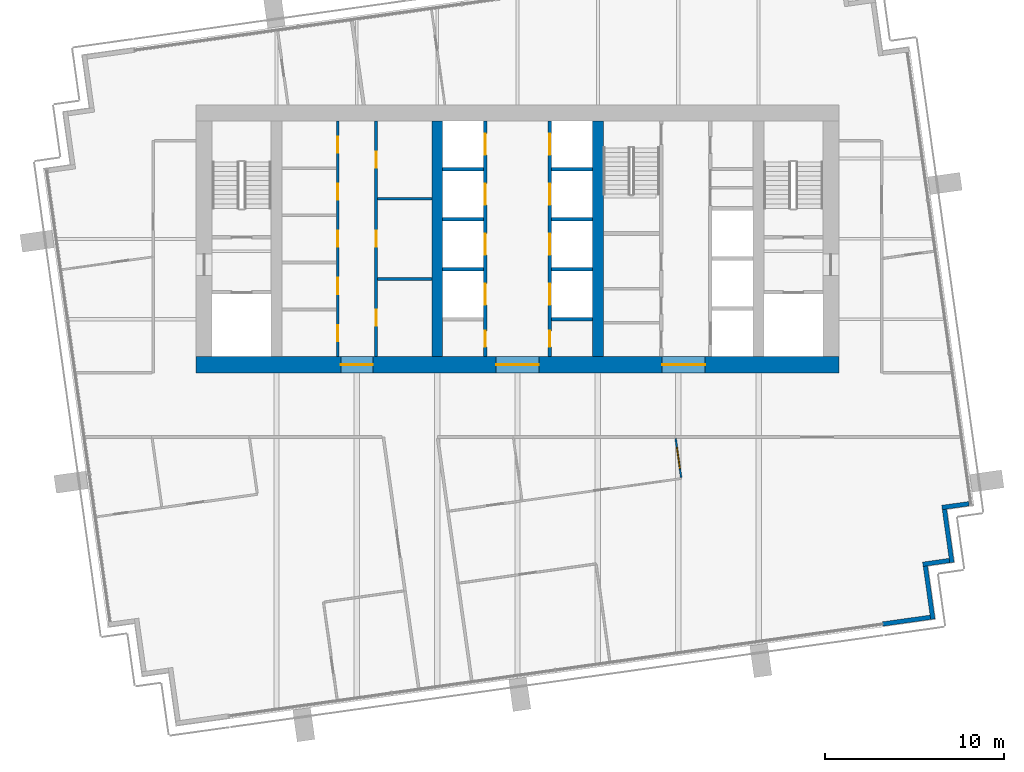
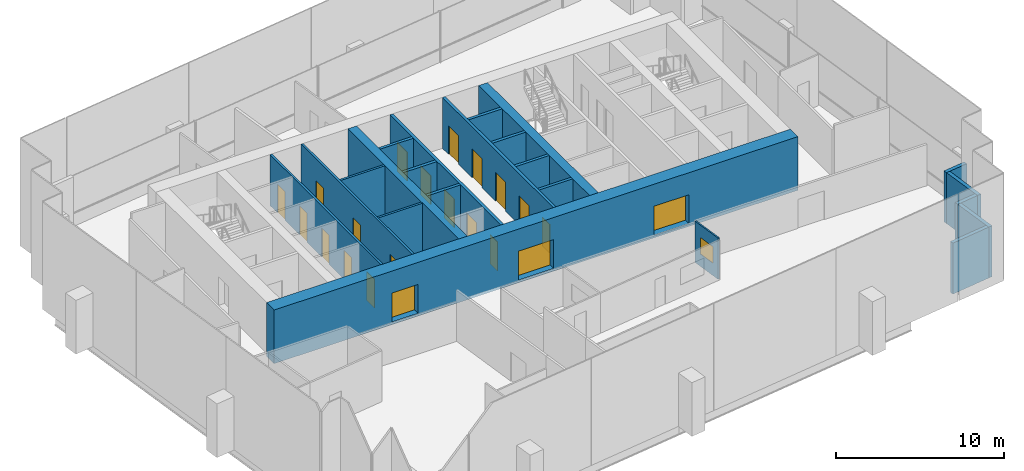
# One storey, part 9 of 15: 22 walls, 21 doors, 1 window, 22 openings.
"""IFC4 building model written with IfcOpenShell, lengths in metres."""

from ifc_helpers import new_model, si_unit, direction, frame, frame_2d, origin, place, context, subcontext, project, spatial, rectangle, extrude, material, layer, layer_set, type_object, element, fill, save


model = new_model("IFC4")

# Units and contexts
model_context = context("Model", 3, precision=1e-05, world=origin(), true_north=direction((0.0, 1.0)))
body_context = subcontext(model_context, "Body", "Model", "MODEL_VIEW")
ifc_project = project(units=[si_unit("LENGTHUNIT", "METRE"), si_unit("AREAUNIT", "SQUARE_METRE"), si_unit("VOLUMEUNIT", "CUBIC_METRE"), si_unit("PLANEANGLEUNIT", "RADIAN"), si_unit("MASSUNIT", "GRAM", prefix="KILO")], contexts=[model_context])

# Site, building, storey
site_placement = place(None, origin())
site = spatial("IfcSite", under=ifc_project, at=site_placement, CompositionType="ELEMENT")
building_placement = place(site_placement, origin())
building = spatial("IfcBuilding", under=site, at=building_placement, Name="Rattan Terrace Tower", CompositionType="ELEMENT")
storey_placement = place(building_placement, frame((0.0, 0.0, 255.10009765625)))
storey = spatial("IfcBuildingStorey", under=building, at=storey_placement, Name="L58", CompositionType="ELEMENT", Elevation=255.10009765625)

# Wall, openings, doors
ifc_material_1 = material(Name="Gypsum board partition")
ifc_layer_1 = layer(ifc_material_1, 0.14990234375)
ifc_layer_set_1 = layer_set([ifc_layer_1], Name="Core partition 150")
wall_type_1 = type_object("IfcWallType", Name="Core partition 150", PredefinedType="PARTITIONING", material=ifc_layer_set_1)
wall_1_placement = place(storey_placement, frame((-10.074951171875, -6.60009765625, 0.0), z_axis=(0.0, 0.0, 1.0), x_axis=(0.0, 1.0, 0.0)))
wall_1 = element("IfcWall", 1, at=wall_1_placement, inside=storey, type_object=wall_type_1, Name="Core room wall", PredefinedType="PARTITIONING", context=body_context, shape_type="SweptSolid", body=[
    extrude(rectangle(XDim=13.2001953125, YDim=0.14990234375, at=frame_2d((6.60009765625, 0.0))), origin(), (0.0, 0.0, 1.0), 3.699951171875),
])
opening_1_placement = place(wall_1_placement, frame((0.8701171875, 0.0, 0.0)))
opening_1 = element("IfcOpeningElement", 2, at=opening_1_placement, cuts=wall_1, Name="Opening L58-D005", PredefinedType="OPENING", context=body_context, shape_type="SweptSolid", body=[
    extrude(rectangle(XDim=0.89990234375, YDim=2.10009765625, at=frame_2d((0.449951171875, 1.050048828125))), frame((0.0, 0.08544921875, 0.0), z_axis=(0.0, -1.0, 0.0), x_axis=(1.0, 0.0, 0.0)), (0.0, 0.0, 1.0), 0.1708984375),
])
opening_2_placement = place(wall_1_placement, frame((3.510009765625, 0.0, 0.0)))
opening_2 = element("IfcOpeningElement", 3, at=opening_2_placement, cuts=wall_1, Name="Opening L58-D006", PredefinedType="OPENING", context=body_context, shape_type="SweptSolid", body=[
    extrude(rectangle(XDim=0.89990234375, YDim=2.10009765625, at=frame_2d((0.449951171875, 1.050048828125))), frame((0.0, 0.08544921875, 0.0), z_axis=(0.0, -1.0, 0.0), x_axis=(1.0, 0.0, 0.0)), (0.0, 0.0, 1.0), 0.1708984375),
])
opening_3_placement = place(wall_1_placement, frame((6.14990234375, 0.0, 0.0)))
opening_3 = element("IfcOpeningElement", 4, at=opening_3_placement, cuts=wall_1, Name="Opening L58-D007", PredefinedType="OPENING", context=body_context, shape_type="SweptSolid", body=[
    extrude(rectangle(XDim=0.89990234375, YDim=2.10009765625, at=frame_2d((0.449951171875, 1.050048828125))), frame((0.0, 0.08544921875, 0.0), z_axis=(0.0, -1.0, 0.0), x_axis=(1.0, 0.0, 0.0)), (0.0, 0.0, 1.0), 0.1708984375),
])
opening_4_placement = place(wall_1_placement, frame((8.7900390625, 0.0, 0.0)))
opening_4 = element("IfcOpeningElement", 5, at=opening_4_placement, cuts=wall_1, Name="Opening L58-D008", PredefinedType="OPENING", context=body_context, shape_type="SweptSolid", body=[
    extrude(rectangle(XDim=0.89990234375, YDim=2.10009765625, at=frame_2d((0.449951171875, 1.050048828125))), frame((0.0, 0.08544921875, 0.0), z_axis=(0.0, -1.0, 0.0), x_axis=(1.0, 0.0, 0.0)), (0.0, 0.0, 1.0), 0.1708984375),
])
opening_5_placement = place(wall_1_placement, frame((11.429931640625, 0.0, 0.0)))
opening_5 = element("IfcOpeningElement", 6, at=opening_5_placement, cuts=wall_1, Name="Opening L58-D009", PredefinedType="OPENING", context=body_context, shape_type="SweptSolid", body=[
    extrude(rectangle(XDim=0.89990234375, YDim=2.10009765625, at=frame_2d((0.449951171875, 1.050048828125))), frame((0.0, 0.08544921875, 0.0), z_axis=(0.0, -1.0, 0.0), x_axis=(1.0, 0.0, 0.0)), (0.0, 0.0, 1.0), 0.1708984375),
])
ifc_material_2 = material(Name="Hollow-metal fire door leaf")
door_type_1 = type_object("IfcDoorType", Name="Core service room door 900", OperationType="NOTDEFINED", PredefinedType="DOOR", material=ifc_material_2)
door_1_placement = place(opening_1_placement, origin())
door_1 = element("IfcDoor", 7, at=door_1_placement, inside=storey, type_object=door_type_1, Name="Door L58-D005", OperationType="SINGLE_SWING_LEFT", OverallHeight=2.10009765625, OverallWidth=0.89990234375, PredefinedType="DOOR", context=body_context, shape_type="SweptSolid", body=[
    extrude(rectangle(XDim=0.89990234375, YDim=2.10009765625, at=frame_2d((0.449951171875, 1.050048828125))), frame((0.0, 0.02490234375, 0.0), z_axis=(0.0, -1.0, 0.0), x_axis=(1.0, 0.0, 0.0)), (0.0, 0.0, 1.0), 0.050048828125),
])
fill(opening_1, door_1)
door_2_placement = place(opening_2_placement, origin())
door_2 = element("IfcDoor", 8, at=door_2_placement, inside=storey, type_object=door_type_1, Name="Door L58-D006", OperationType="SINGLE_SWING_RIGHT", OverallHeight=2.10009765625, OverallWidth=0.89990234375, PredefinedType="DOOR", context=body_context, shape_type="SweptSolid", body=[
    extrude(rectangle(XDim=0.89990234375, YDim=2.10009765625, at=frame_2d((0.449951171875, 1.050048828125))), frame((0.0, 0.02490234375, 0.0), z_axis=(0.0, -1.0, 0.0), x_axis=(1.0, 0.0, 0.0)), (0.0, 0.0, 1.0), 0.050048828125),
])
fill(opening_2, door_2)
door_3_placement = place(opening_3_placement, origin())
door_3 = element("IfcDoor", 9, at=door_3_placement, inside=storey, type_object=door_type_1, Name="Door L58-D007", OperationType="SINGLE_SWING_LEFT", OverallHeight=2.10009765625, OverallWidth=0.89990234375, PredefinedType="DOOR", context=body_context, shape_type="SweptSolid", body=[
    extrude(rectangle(XDim=0.89990234375, YDim=2.10009765625, at=frame_2d((0.449951171875, 1.050048828125))), frame((0.0, 0.02490234375, 0.0), z_axis=(0.0, -1.0, 0.0), x_axis=(1.0, 0.0, 0.0)), (0.0, 0.0, 1.0), 0.050048828125),
])
fill(opening_3, door_3)
door_4_placement = place(opening_4_placement, origin())
door_4 = element("IfcDoor", 10, at=door_4_placement, inside=storey, type_object=door_type_1, Name="Door L58-D008", OperationType="SINGLE_SWING_RIGHT", OverallHeight=2.10009765625, OverallWidth=0.89990234375, PredefinedType="DOOR", context=body_context, shape_type="SweptSolid", body=[
    extrude(rectangle(XDim=0.89990234375, YDim=2.10009765625, at=frame_2d((0.449951171875, 1.050048828125))), frame((0.0, 0.02490234375, 0.0), z_axis=(0.0, -1.0, 0.0), x_axis=(1.0, 0.0, 0.0)), (0.0, 0.0, 1.0), 0.050048828125),
])
fill(opening_4, door_4)
door_5_placement = place(opening_5_placement, origin())
door_5 = element("IfcDoor", 11, at=door_5_placement, inside=storey, type_object=door_type_1, Name="Door L58-D009", OperationType="SINGLE_SWING_LEFT", OverallHeight=2.10009765625, OverallWidth=0.89990234375, PredefinedType="DOOR", context=body_context, shape_type="SweptSolid", body=[
    extrude(rectangle(XDim=0.89990234375, YDim=2.10009765625, at=frame_2d((0.449951171875, 1.050048828125))), frame((0.0, 0.02490234375, 0.0), z_axis=(0.0, -1.0, 0.0), x_axis=(1.0, 0.0, 0.0)), (0.0, 0.0, 1.0), 0.050048828125),
])
fill(opening_5, door_5)

wall_2_placement = place(storey_placement, frame((-7.925048828125, -6.60009765625, 0.0), z_axis=(0.0, 0.0, 1.0), x_axis=(0.0, 1.0, 0.0)))
wall_2 = element("IfcWall", 12, at=wall_2_placement, inside=storey, type_object=wall_type_1, Name="Core room wall", PredefinedType="PARTITIONING", context=body_context, shape_type="SweptSolid", body=[
    extrude(rectangle(XDim=13.2001953125, YDim=0.14990234375, at=frame_2d((6.60009765625, 0.0))), origin(), (0.0, 0.0, 1.0), 3.699951171875),
])
opening_6_placement = place(wall_2_placement, frame((1.72802734375, 0.0, 0.0)))
opening_6 = element("IfcOpeningElement", 13, at=opening_6_placement, cuts=wall_2, Name="Opening L58-D010", PredefinedType="OPENING", context=body_context, shape_type="SweptSolid", body=[
    extrude(rectangle(XDim=0.89990234375, YDim=2.10009765625, at=frame_2d((0.449951171875, 1.050048828125))), frame((0.0, 0.08544921875, 0.0), z_axis=(0.0, -1.0, 0.0), x_axis=(1.0, 0.0, 0.0)), (0.0, 0.0, 1.0), 0.1708984375),
])
opening_7_placement = place(wall_2_placement, frame((6.14990234375, 0.0, 0.0)))
opening_7 = element("IfcOpeningElement", 14, at=opening_7_placement, cuts=wall_2, Name="Opening L58-D011", PredefinedType="OPENING", context=body_context, shape_type="SweptSolid", body=[
    extrude(rectangle(XDim=0.89990234375, YDim=2.10009765625, at=frame_2d((0.449951171875, 1.050048828125))), frame((0.0, 0.08544921875, 0.0), z_axis=(0.0, -1.0, 0.0), x_axis=(1.0, 0.0, 0.0)), (0.0, 0.0, 1.0), 0.1708984375),
])
opening_8_placement = place(wall_2_placement, frame((10.572021484375, 0.0, 0.0)))
opening_8 = element("IfcOpeningElement", 15, at=opening_8_placement, cuts=wall_2, Name="Opening L58-D012", PredefinedType="OPENING", context=body_context, shape_type="SweptSolid", body=[
    extrude(rectangle(XDim=0.89990234375, YDim=2.10009765625, at=frame_2d((0.449951171875, 1.050048828125))), frame((0.0, 0.08544921875, 0.0), z_axis=(0.0, -1.0, 0.0), x_axis=(1.0, 0.0, 0.0)), (0.0, 0.0, 1.0), 0.1708984375),
])
door_6_placement = place(opening_6_placement, origin())
door_6 = element("IfcDoor", 16, at=door_6_placement, inside=storey, type_object=door_type_1, Name="Door L58-D010", OperationType="SINGLE_SWING_RIGHT", OverallHeight=2.10009765625, OverallWidth=0.89990234375, PredefinedType="DOOR", context=body_context, shape_type="SweptSolid", body=[
    extrude(rectangle(XDim=0.89990234375, YDim=2.10009765625, at=frame_2d((0.449951171875, 1.050048828125))), frame((0.0, 0.02490234375, 0.0), z_axis=(0.0, -1.0, 0.0), x_axis=(1.0, 0.0, 0.0)), (0.0, 0.0, 1.0), 0.050048828125),
])
fill(opening_6, door_6)
door_7_placement = place(opening_7_placement, origin())
door_7 = element("IfcDoor", 17, at=door_7_placement, inside=storey, type_object=door_type_1, Name="Door L58-D011", OperationType="SINGLE_SWING_LEFT", OverallHeight=2.10009765625, OverallWidth=0.89990234375, PredefinedType="DOOR", context=body_context, shape_type="SweptSolid", body=[
    extrude(rectangle(XDim=0.89990234375, YDim=2.10009765625, at=frame_2d((0.449951171875, 1.050048828125))), frame((0.0, 0.02490234375, 0.0), z_axis=(0.0, -1.0, 0.0), x_axis=(1.0, 0.0, 0.0)), (0.0, 0.0, 1.0), 0.050048828125),
])
fill(opening_7, door_7)
door_8_placement = place(opening_8_placement, origin())
door_8 = element("IfcDoor", 18, at=door_8_placement, inside=storey, type_object=door_type_1, Name="Door L58-D012", OperationType="SINGLE_SWING_RIGHT", OverallHeight=2.10009765625, OverallWidth=0.89990234375, PredefinedType="DOOR", context=body_context, shape_type="SweptSolid", body=[
    extrude(rectangle(XDim=0.89990234375, YDim=2.10009765625, at=frame_2d((0.449951171875, 1.050048828125))), frame((0.0, 0.02490234375, 0.0), z_axis=(0.0, -1.0, 0.0), x_axis=(1.0, 0.0, 0.0)), (0.0, 0.0, 1.0), 0.050048828125),
])
fill(opening_8, door_8)

# Walls
for number, where, z_axis, x_axis, name in (
    (19, (-7.85009765625, -2.243896484375, 0.0), (0.0, 0.0, 1.0), (1.0, 0.0, 0.0), "Core room wall"),
    (20, (-7.85009765625, 2.243896484375, 0.0), (0.0, 0.0, 1.0), (1.0, 0.0, 0.0), "Core room wall"),
):
    element("IfcWall", number, at=place(storey_placement, frame(where, z_axis=z_axis, x_axis=x_axis)), inside=storey, type_object=wall_type_1, Name=name, PredefinedType="PARTITIONING", context=body_context, shape_type="SweptSolid", body=[
        extrude(rectangle(XDim=3.050048828125, YDim=0.14990234375, at=frame_2d((1.52490234375, 0.0))), origin(), (0.0, 0.0, 1.0), 3.699951171875),
    ])

# Wall, openings, doors
ifc_material_3 = material(Name="Concrete C50/60", Category="concrete")
ifc_layer_2 = layer(ifc_material_3, 0.89990234375)
ifc_layer_set_2 = layer_set([ifc_layer_2], Name="Core ring wall 900 C50/60")
wall_type_2 = type_object("IfcWallType", Name="Core ring wall 900 C50/60", PredefinedType="SHEAR", material=ifc_layer_set_2)
wall_3_placement = place(storey_placement, frame((-18.0, -7.050048828125, -0.2001953125), z_axis=(0.0, 0.0, 1.0), x_axis=(1.0, 0.0, 0.0)))
wall_3 = element("IfcWall", 21, at=wall_3_placement, inside=storey, type_object=wall_type_2, Name="Rear core wall south", PredefinedType="SHEAR", context=body_context, shape_type="SweptSolid", body=[
    extrude(rectangle(XDim=36.0, YDim=0.89990234375, at=frame_2d((18.0, 0.0))), origin(), (0.0, 0.0, 1.0), 3.900146484375),
])
opening_9_placement = place(wall_3_placement, frame((8.10009765625, 0.0, 0.199951171875)))
opening_9 = element("IfcOpeningElement", 22, at=opening_9_placement, cuts=wall_3, Name="Opening L58-D013", PredefinedType="OPENING", context=body_context, shape_type="SweptSolid", body=[
    extrude(rectangle(XDim=1.800048828125, YDim=2.10009765625, at=frame_2d((0.89990234375, 1.050048828125))), frame((0.0, 0.46044921875, 0.0), z_axis=(0.0, -1.0, 0.0), x_axis=(1.0, 0.0, 0.0)), (0.0, 0.0, 1.0), 0.9208984375),
])
opening_10_placement = place(wall_3_placement, frame((16.800048828125, 0.0, 0.199951171875)))
opening_10 = element("IfcOpeningElement", 23, at=opening_10_placement, cuts=wall_3, Name="Opening L58-D016", PredefinedType="OPENING", context=body_context, shape_type="SweptSolid", body=[
    extrude(rectangle(XDim=2.39990234375, YDim=2.10009765625, at=frame_2d((1.199951171875, 1.050048828125))), frame((0.0, 0.46044921875, 0.0), z_axis=(0.0, -1.0, 0.0), x_axis=(1.0, 0.0, 0.0)), (0.0, 0.0, 1.0), 0.9208984375),
])
opening_11_placement = place(wall_3_placement, frame((26.10009765625, 0.0, 0.199951171875)))
opening_11 = element("IfcOpeningElement", 24, at=opening_11_placement, cuts=wall_3, Name="Opening L58-D021", PredefinedType="OPENING", context=body_context, shape_type="SweptSolid", body=[
    extrude(rectangle(XDim=2.39990234375, YDim=2.10009765625, at=frame_2d((1.199951171875, 1.050048828125))), frame((0.0, 0.46044921875, 0.0), z_axis=(0.0, -1.0, 0.0), x_axis=(1.0, 0.0, 0.0)), (0.0, 0.0, 1.0), 0.9208984375),
])
ifc_material_4 = material(Name="Hollow-metal fire door leaf")
door_type_2 = type_object("IfcDoorType", Name="Core lift lobby door 2400", OperationType="NOTDEFINED", PredefinedType="DOOR", material=ifc_material_4)
door_9_placement = place(opening_10_placement, origin())
door_9 = element("IfcDoor", 25, at=door_9_placement, inside=storey, type_object=door_type_2, Name="Door L58-D016", OperationType="DOUBLE_DOOR_DOUBLE_SWING", OverallHeight=2.10009765625, OverallWidth=2.39990234375, PredefinedType="DOOR", context=body_context, shape_type="SweptSolid", body=[
    extrude(rectangle(XDim=2.39990234375, YDim=2.10009765625, at=frame_2d((1.199951171875, 1.050048828125))), frame((0.0, 0.02490234375, 0.0), z_axis=(0.0, -1.0, 0.0), x_axis=(1.0, 0.0, 0.0)), (0.0, 0.0, 1.0), 0.050048828125),
])
fill(opening_10, door_9)
door_10_placement = place(opening_11_placement, origin())
door_10 = element("IfcDoor", 26, at=door_10_placement, inside=storey, type_object=door_type_2, Name="Door L58-D021", OperationType="DOUBLE_DOOR_DOUBLE_SWING", OverallHeight=2.10009765625, OverallWidth=2.39990234375, PredefinedType="DOOR", context=body_context, shape_type="SweptSolid", body=[
    extrude(rectangle(XDim=2.39990234375, YDim=2.10009765625, at=frame_2d((1.199951171875, 1.050048828125))), frame((0.0, 0.02490234375, 0.0), z_axis=(0.0, -1.0, 0.0), x_axis=(1.0, 0.0, 0.0)), (0.0, 0.0, 1.0), 0.050048828125),
])
fill(opening_11, door_10)
ifc_material_5 = material(Name="Hollow-metal fire door leaf")
door_type_3 = type_object("IfcDoorType", Name="Core service room door 1800", OperationType="NOTDEFINED", PredefinedType="DOOR", material=ifc_material_5)
door_11_placement = place(opening_9_placement, origin())
door_11 = element("IfcDoor", 27, at=door_11_placement, inside=storey, type_object=door_type_3, Name="Door L58-D013", OperationType="SINGLE_SWING_LEFT", OverallHeight=2.10009765625, OverallWidth=1.800048828125, PredefinedType="DOOR", context=body_context, shape_type="SweptSolid", body=[
    extrude(rectangle(XDim=1.800048828125, YDim=2.10009765625, at=frame_2d((0.89990234375, 1.050048828125))), frame((0.0, 0.02490234375, 0.0), z_axis=(0.0, -1.0, 0.0), x_axis=(1.0, 0.0, 0.0)), (0.0, 0.0, 1.0), 0.050048828125),
])
fill(opening_9, door_11)

# Walls
ifc_material_6 = material(Name="Concrete C50/60", Category="concrete")
ifc_layer_3 = layer(ifc_material_6, 0.60009765625)
ifc_layer_set_3 = layer_set([ifc_layer_3], Name="Core spine wall 600 C50/60")
wall_type_3 = type_object("IfcWallType", Name="Core spine wall 600 C50/60", PredefinedType="SHEAR", material=ifc_layer_set_3)
for number, where, z_axis, x_axis, name in (
    (28, (-4.5, -6.60009765625, -0.2001953125), (0.0, 0.0, 1.0), (0.0, 1.0, 0.0), "Core spine wall 2"),
    (29, (4.5, -6.60009765625, -0.2001953125), (0.0, 0.0, 1.0), (0.0, 1.0, 0.0), "Core spine wall 3"),
):
    element("IfcWall", number, at=place(storey_placement, frame(where, z_axis=z_axis, x_axis=x_axis)), inside=storey, type_object=wall_type_3, Name=name, PredefinedType="SHEAR", context=body_context, shape_type="SweptSolid", body=[
        extrude(rectangle(XDim=13.2001953125, YDim=0.60009765625, at=frame_2d((6.60009765625, 0.0))), origin(), (0.0, 0.0, 1.0), 3.900146484375),
    ])
ifc_material_7 = material(Name="Insulated aluminium-clad stud wall", Category="aluminium")
ifc_layer_4 = layer(ifc_material_7, 0.25)
ifc_layer_set_4 = layer_set([ifc_layer_4], Name="Facade Riser Wall 250")
wall_type_4 = type_object("IfcWallType", Name="Facade Riser Wall 250", PredefinedType="SOLIDWALL", material=ifc_layer_set_4)
wall_4_placement = place(storey_placement, frame((20.4404296875, -21.571533203125, 0.0), z_axis=(0.0, 0.0, 1.0), x_axis=(0.990293105353, 0.138994839796, 0.0)))
element("IfcWall", 30, at=wall_4_placement, inside=storey, type_object=wall_type_4, Name="Riser wall L58-1", PredefinedType="SOLIDWALL", context=body_context, shape_type="SweptSolid", body=[
    extrude(rectangle(XDim=2.705078125, YDim=0.25, at=frame_2d((1.3525390625, 0.0))), origin(), (0.0, 0.0, 1.0), 3.699951171875),
])
wall_5_placement = place(storey_placement, frame((23.260498046875, -21.302001953125, 0.0), z_axis=(0.0, 0.0, 1.0), x_axis=(-0.138994228812, 0.990293191109, 0.0)))
element("IfcWall", 31, at=wall_5_placement, inside=storey, type_object=wall_type_4, Name="Riser wall L58-2", PredefinedType="SOLIDWALL", context=body_context, shape_type="SweptSolid", body=[
    extrude(rectangle(XDim=3.0, YDim=0.25, at=frame_2d((1.5, 0.0))), origin(), (0.0, 0.0, 1.0), 3.699951171875),
])
wall_6_placement = place(storey_placement, frame((22.7021484375, -18.224853515625, 0.0), z_axis=(0.0, 0.0, 1.0), x_axis=(0.990243596651, 0.13934711799, 0.0)))
element("IfcWall", 32, at=wall_6_placement, inside=storey, type_object=wall_type_4, Name="Riser wall L58-3", PredefinedType="SOLIDWALL", context=body_context, shape_type="SweptSolid", body=[
    extrude(rectangle(XDim=1.499755859375, YDim=0.25, at=frame_2d((0.75, 0.0))), origin(), (0.0, 0.0, 1.0), 3.699951171875),
])
wall_7_placement = place(storey_placement, frame((24.328369140625, -18.1220703125, 0.0), z_axis=(0.0, 0.0, 1.0), x_axis=(-0.139358350296, 0.990242015975, 0.0)))
element("IfcWall", 33, at=wall_7_placement, inside=storey, type_object=wall_type_4, Name="Riser wall L58-4", PredefinedType="SOLIDWALL", context=body_context, shape_type="SweptSolid", body=[
    extrude(rectangle(XDim=2.999267578125, YDim=0.25, at=frame_2d((1.49951171875, 0.0))), origin(), (0.0, 0.0, 1.0), 3.699951171875),
])
wall_8_placement = place(storey_placement, frame((23.769287109375, -15.045654296875, 0.0), z_axis=(0.0, 0.0, 1.0), x_axis=(0.990260716096, 0.139225407725, 0.0)))
element("IfcWall", 34, at=wall_8_placement, inside=storey, type_object=wall_type_4, Name="Riser wall L58-5", PredefinedType="SOLIDWALL", context=body_context, shape_type="SweptSolid", body=[
    extrude(rectangle(XDim=1.525634765625, YDim=0.25, at=frame_2d((0.7626953125, 0.0))), origin(), (0.0, 0.0, 1.0), 3.699951171875),
])

# Wall, opening, window
ifc_material_8 = material(Name="Gypsum board partition on steel studs", Category="steel")
ifc_layer_5 = layer(ifc_material_8, 0.10009765625)
ifc_layer_set_5 = layer_set([ifc_layer_5], Name="Floors Partition 100")
wall_type_5 = type_object("IfcWallType", Name="Floors Partition 100", PredefinedType="PARTITIONING", material=ifc_layer_set_5)
wall_9_placement = place(storey_placement, frame((9.1640625, -13.3720703125, 0.0), z_axis=(0.0, 0.0, 1.0), x_axis=(-0.139301888521, 0.99024996029, 0.0)))
wall_9 = element("IfcWall", 35, at=wall_9_placement, inside=storey, type_object=wall_type_5, Name="pt-L58-030", PredefinedType="PARTITIONING", context=body_context, shape_type="SweptSolid", body=[
    extrude(rectangle(XDim=2.225830078125, YDim=0.10009765625, at=frame_2d((1.11279296875, 0.0))), origin(), (0.0, 0.0, 1.0), 3.0),
])
opening_12_placement = place(wall_9_placement, frame((0.5048828125, 0.0, 0.89990234375)))
opening_12 = element("IfcOpeningElement", 36, at=opening_12_placement, cuts=wall_9, Name="Opening L58-W102", PredefinedType="OPENING", context=body_context, shape_type="SweptSolid", body=[
    extrude(rectangle(XDim=1.199951171875, YDim=1.199951171875, at=frame_2d((0.60009765625, 0.60009765625))), frame((0.0, 0.060546875, 0.0), z_axis=(0.0, -1.0, 0.0), x_axis=(1.0, 0.0, 0.0)), (0.0, 0.0, 1.0), 0.12109375),
])
ifc_material_9 = material(Name="Glass, clear, fixed in aluminium frame", Category="aluminium")
window_type = type_object("IfcWindowType", Name="Interior Vision Window 1200x1200", PartitioningType="SINGLE_PANEL", PredefinedType="WINDOW", material=ifc_material_9)
window_placement = place(opening_12_placement, origin())
window = element("IfcWindow", 37, at=window_placement, inside=storey, type_object=window_type, Name="w-L58-102", OverallHeight=1.199951171875, OverallWidth=1.199951171875, PartitioningType="SINGLE_PANEL", PredefinedType="WINDOW", context=body_context, shape_type="SweptSolid", body=[
    extrude(rectangle(XDim=1.199951171875, YDim=1.199951171875, at=frame_2d((0.60009765625, 0.60009765625))), frame((0.0, 0.030029296875, 0.0), z_axis=(0.0, -1.0, 0.0), x_axis=(1.0, 0.0, 0.0)), (0.0, 0.0, 1.0), 0.06005859375),
])
fill(opening_12, window)

# Wall, openings, doors
ifc_material_10 = material(Name="Gypsum shaft wall system")
ifc_layer_6 = layer(ifc_material_10, 0.199951171875)
ifc_layer_set_6 = layer_set([ifc_layer_6], Name="Lift shaft wall 200")
wall_type_6 = type_object("IfcWallType", Name="Lift shaft wall 200", PredefinedType="PARTITIONING", material=ifc_layer_set_6)
wall_10_placement = place(storey_placement, frame((-1.800048828125, -6.60009765625, 0.0), z_axis=(0.0, 0.0, 1.0), x_axis=(0.0, 1.0, 0.0)))
wall_10 = element("IfcWall", 38, at=wall_10_placement, inside=storey, type_object=wall_type_6, Name="Lift shaft front wall", PredefinedType="PARTITIONING", context=body_context, shape_type="SweptSolid", body=[
    extrude(rectangle(XDim=13.2001953125, YDim=0.199951171875, at=frame_2d((6.60009765625, 0.0))), origin(), (0.0, 0.0, 1.0), 3.699951171875),
])
opening_13_placement = place(wall_10_placement, frame((0.550048828125, 0.0, 0.0)))
opening_13 = element("IfcOpeningElement", 39, at=opening_13_placement, cuts=wall_10, Name="Opening L58-D014", PredefinedType="OPENING", context=body_context, shape_type="SweptSolid", body=[
    extrude(rectangle(XDim=0.89990234375, YDim=2.10009765625, at=frame_2d((0.449951171875, 1.050048828125))), frame((0.0, 0.110595703125, 0.0), z_axis=(0.0, -1.0, 0.0), x_axis=(1.0, 0.0, 0.0)), (0.0, 0.0, 1.0), 0.220947265625),
])
opening_14_placement = place(wall_10_placement, frame((2.89990234375, 0.0, 0.0)))
opening_14 = element("IfcOpeningElement", 40, at=opening_14_placement, cuts=wall_10, Name="Opening L58-LD-HR1", PredefinedType="OPENING", context=body_context, shape_type="SweptSolid", body=[
    extrude(rectangle(XDim=1.199951171875, YDim=2.10009765625, at=frame_2d((0.60009765625, 1.050048828125))), frame((0.0, 0.110595703125, 0.0), z_axis=(0.0, -1.0, 0.0), x_axis=(1.0, 0.0, 0.0)), (0.0, 0.0, 1.0), 0.220947265625),
])
opening_15_placement = place(wall_10_placement, frame((5.699951171875, 0.0, 0.0)))
opening_15 = element("IfcOpeningElement", 41, at=opening_15_placement, cuts=wall_10, Name="Opening L58-LD-HR2", PredefinedType="OPENING", context=body_context, shape_type="SweptSolid", body=[
    extrude(rectangle(XDim=1.199951171875, YDim=2.10009765625, at=frame_2d((0.60009765625, 1.050048828125))), frame((0.0, 0.110595703125, 0.0), z_axis=(0.0, -1.0, 0.0), x_axis=(1.0, 0.0, 0.0)), (0.0, 0.0, 1.0), 0.220947265625),
])
opening_16_placement = place(wall_10_placement, frame((8.5, 0.0, 0.0)))
opening_16 = element("IfcOpeningElement", 42, at=opening_16_placement, cuts=wall_10, Name="Opening L58-LD-HR3", PredefinedType="OPENING", context=body_context, shape_type="SweptSolid", body=[
    extrude(rectangle(XDim=1.199951171875, YDim=2.10009765625, at=frame_2d((0.60009765625, 1.050048828125))), frame((0.0, 0.110595703125, 0.0), z_axis=(0.0, -1.0, 0.0), x_axis=(1.0, 0.0, 0.0)), (0.0, 0.0, 1.0), 0.220947265625),
])
opening_17_placement = place(wall_10_placement, frame((11.300048828125, 0.0, 0.0)))
opening_17 = element("IfcOpeningElement", 43, at=opening_17_placement, cuts=wall_10, Name="Opening L58-LD-HR4", PredefinedType="OPENING", context=body_context, shape_type="SweptSolid", body=[
    extrude(rectangle(XDim=1.199951171875, YDim=2.10009765625, at=frame_2d((0.60009765625, 1.050048828125))), frame((0.0, 0.110595703125, 0.0), z_axis=(0.0, -1.0, 0.0), x_axis=(1.0, 0.0, 0.0)), (0.0, 0.0, 1.0), 0.220947265625),
])
ifc_material_11 = material(Name="Brushed stainless landing door panel")
door_type_4 = type_object("IfcDoorType", Name="Core lift landing door 1200", OperationType="DOUBLE_DOOR_SLIDING", PredefinedType="DOOR", material=ifc_material_11)
door_12_placement = place(opening_14_placement, origin())
door_12 = element("IfcDoor", 44, at=door_12_placement, inside=storey, type_object=door_type_4, Name="Door L58-LD-HR1", OperationType="DOUBLE_DOOR_SLIDING", OverallHeight=2.10009765625, OverallWidth=1.199951171875, PredefinedType="DOOR", context=body_context, shape_type="SweptSolid", body=[
    extrude(rectangle(XDim=1.199951171875, YDim=2.10009765625, at=frame_2d((0.60009765625, 1.050048828125))), frame((0.0, 0.02490234375, 0.0), z_axis=(0.0, -1.0, 0.0), x_axis=(1.0, 0.0, 0.0)), (0.0, 0.0, 1.0), 0.050048828125),
])
fill(opening_14, door_12)
door_13_placement = place(opening_15_placement, origin())
door_13 = element("IfcDoor", 45, at=door_13_placement, inside=storey, type_object=door_type_4, Name="Door L58-LD-HR2", OperationType="DOUBLE_DOOR_SLIDING", OverallHeight=2.10009765625, OverallWidth=1.199951171875, PredefinedType="DOOR", context=body_context, shape_type="SweptSolid", body=[
    extrude(rectangle(XDim=1.199951171875, YDim=2.10009765625, at=frame_2d((0.60009765625, 1.050048828125))), frame((0.0, 0.02490234375, 0.0), z_axis=(0.0, -1.0, 0.0), x_axis=(1.0, 0.0, 0.0)), (0.0, 0.0, 1.0), 0.050048828125),
])
fill(opening_15, door_13)
door_14_placement = place(opening_16_placement, origin())
door_14 = element("IfcDoor", 46, at=door_14_placement, inside=storey, type_object=door_type_4, Name="Door L58-LD-HR3", OperationType="DOUBLE_DOOR_SLIDING", OverallHeight=2.10009765625, OverallWidth=1.199951171875, PredefinedType="DOOR", context=body_context, shape_type="SweptSolid", body=[
    extrude(rectangle(XDim=1.199951171875, YDim=2.10009765625, at=frame_2d((0.60009765625, 1.050048828125))), frame((0.0, 0.02490234375, 0.0), z_axis=(0.0, -1.0, 0.0), x_axis=(1.0, 0.0, 0.0)), (0.0, 0.0, 1.0), 0.050048828125),
])
fill(opening_16, door_14)
door_15_placement = place(opening_17_placement, origin())
door_15 = element("IfcDoor", 47, at=door_15_placement, inside=storey, type_object=door_type_4, Name="Door L58-LD-HR4", OperationType="DOUBLE_DOOR_SLIDING", OverallHeight=2.10009765625, OverallWidth=1.199951171875, PredefinedType="DOOR", context=body_context, shape_type="SweptSolid", body=[
    extrude(rectangle(XDim=1.199951171875, YDim=2.10009765625, at=frame_2d((0.60009765625, 1.050048828125))), frame((0.0, 0.02490234375, 0.0), z_axis=(0.0, -1.0, 0.0), x_axis=(1.0, 0.0, 0.0)), (0.0, 0.0, 1.0), 0.050048828125),
])
fill(opening_17, door_15)
ifc_material_12 = material(Name="Hollow-metal fire door leaf")
door_type_5 = type_object("IfcDoorType", Name="Core riser door 900", OperationType="NOTDEFINED", PredefinedType="DOOR", material=ifc_material_12)
door_16_placement = place(opening_13_placement, origin())
door_16 = element("IfcDoor", 48, at=door_16_placement, inside=storey, type_object=door_type_5, Name="Door L58-D014", OperationType="SINGLE_SWING_RIGHT", OverallHeight=2.10009765625, OverallWidth=0.89990234375, PredefinedType="DOOR", context=body_context, shape_type="SweptSolid", body=[
    extrude(rectangle(XDim=0.89990234375, YDim=2.10009765625, at=frame_2d((0.449951171875, 1.050048828125))), frame((0.0, 0.02490234375, 0.0), z_axis=(0.0, -1.0, 0.0), x_axis=(1.0, 0.0, 0.0)), (0.0, 0.0, 1.0), 0.050048828125),
])
fill(opening_13, door_16)

wall_11_placement = place(storey_placement, frame((1.800048828125, -6.60009765625, 0.0), z_axis=(0.0, 0.0, 1.0), x_axis=(0.0, 1.0, 0.0)))
wall_11 = element("IfcWall", 49, at=wall_11_placement, inside=storey, type_object=wall_type_6, Name="Lift shaft front wall", PredefinedType="PARTITIONING", context=body_context, shape_type="SweptSolid", body=[
    extrude(rectangle(XDim=13.2001953125, YDim=0.199951171875, at=frame_2d((6.60009765625, 0.0))), origin(), (0.0, 0.0, 1.0), 3.699951171875),
])
opening_18_placement = place(wall_11_placement, frame((0.550048828125, 0.0, 0.0)))
opening_18 = element("IfcOpeningElement", 50, at=opening_18_placement, cuts=wall_11, Name="Opening L58-D015", PredefinedType="OPENING", context=body_context, shape_type="SweptSolid", body=[
    extrude(rectangle(XDim=0.89990234375, YDim=2.10009765625, at=frame_2d((0.449951171875, 1.050048828125))), frame((0.0, 0.110595703125, 0.0), z_axis=(0.0, -1.0, 0.0), x_axis=(1.0, 0.0, 0.0)), (0.0, 0.0, 1.0), 0.220947265625),
])
opening_19_placement = place(wall_11_placement, frame((2.89990234375, 0.0, 0.0)))
opening_19 = element("IfcOpeningElement", 51, at=opening_19_placement, cuts=wall_11, Name="Opening L58-LD-HR5", PredefinedType="OPENING", context=body_context, shape_type="SweptSolid", body=[
    extrude(rectangle(XDim=1.199951171875, YDim=2.10009765625, at=frame_2d((0.60009765625, 1.050048828125))), frame((0.0, 0.110595703125, 0.0), z_axis=(0.0, -1.0, 0.0), x_axis=(1.0, 0.0, 0.0)), (0.0, 0.0, 1.0), 0.220947265625),
])
opening_20_placement = place(wall_11_placement, frame((5.699951171875, 0.0, 0.0)))
opening_20 = element("IfcOpeningElement", 52, at=opening_20_placement, cuts=wall_11, Name="Opening L58-LD-HR6", PredefinedType="OPENING", context=body_context, shape_type="SweptSolid", body=[
    extrude(rectangle(XDim=1.199951171875, YDim=2.10009765625, at=frame_2d((0.60009765625, 1.050048828125))), frame((0.0, 0.110595703125, 0.0), z_axis=(0.0, -1.0, 0.0), x_axis=(1.0, 0.0, 0.0)), (0.0, 0.0, 1.0), 0.220947265625),
])
opening_21_placement = place(wall_11_placement, frame((8.5, 0.0, 0.0)))
opening_21 = element("IfcOpeningElement", 53, at=opening_21_placement, cuts=wall_11, Name="Opening L58-LD-HR7", PredefinedType="OPENING", context=body_context, shape_type="SweptSolid", body=[
    extrude(rectangle(XDim=1.199951171875, YDim=2.10009765625, at=frame_2d((0.60009765625, 1.050048828125))), frame((0.0, 0.110595703125, 0.0), z_axis=(0.0, -1.0, 0.0), x_axis=(1.0, 0.0, 0.0)), (0.0, 0.0, 1.0), 0.220947265625),
])
opening_22_placement = place(wall_11_placement, frame((11.300048828125, 0.0, 0.0)))
opening_22 = element("IfcOpeningElement", 54, at=opening_22_placement, cuts=wall_11, Name="Opening L58-LD-HR8", PredefinedType="OPENING", context=body_context, shape_type="SweptSolid", body=[
    extrude(rectangle(XDim=1.199951171875, YDim=2.10009765625, at=frame_2d((0.60009765625, 1.050048828125))), frame((0.0, 0.110595703125, 0.0), z_axis=(0.0, -1.0, 0.0), x_axis=(1.0, 0.0, 0.0)), (0.0, 0.0, 1.0), 0.220947265625),
])
door_17_placement = place(opening_19_placement, origin())
door_17 = element("IfcDoor", 55, at=door_17_placement, inside=storey, type_object=door_type_4, Name="Door L58-LD-HR5", OperationType="DOUBLE_DOOR_SLIDING", OverallHeight=2.10009765625, OverallWidth=1.199951171875, PredefinedType="DOOR", context=body_context, shape_type="SweptSolid", body=[
    extrude(rectangle(XDim=1.199951171875, YDim=2.10009765625, at=frame_2d((0.60009765625, 1.050048828125))), frame((0.0, 0.02490234375, 0.0), z_axis=(0.0, -1.0, 0.0), x_axis=(1.0, 0.0, 0.0)), (0.0, 0.0, 1.0), 0.050048828125),
])
fill(opening_19, door_17)
door_18_placement = place(opening_20_placement, origin())
door_18 = element("IfcDoor", 56, at=door_18_placement, inside=storey, type_object=door_type_4, Name="Door L58-LD-HR6", OperationType="DOUBLE_DOOR_SLIDING", OverallHeight=2.10009765625, OverallWidth=1.199951171875, PredefinedType="DOOR", context=body_context, shape_type="SweptSolid", body=[
    extrude(rectangle(XDim=1.199951171875, YDim=2.10009765625, at=frame_2d((0.60009765625, 1.050048828125))), frame((0.0, 0.02490234375, 0.0), z_axis=(0.0, -1.0, 0.0), x_axis=(1.0, 0.0, 0.0)), (0.0, 0.0, 1.0), 0.050048828125),
])
fill(opening_20, door_18)
door_19_placement = place(opening_21_placement, origin())
door_19 = element("IfcDoor", 57, at=door_19_placement, inside=storey, type_object=door_type_4, Name="Door L58-LD-HR7", OperationType="DOUBLE_DOOR_SLIDING", OverallHeight=2.10009765625, OverallWidth=1.199951171875, PredefinedType="DOOR", context=body_context, shape_type="SweptSolid", body=[
    extrude(rectangle(XDim=1.199951171875, YDim=2.10009765625, at=frame_2d((0.60009765625, 1.050048828125))), frame((0.0, 0.02490234375, 0.0), z_axis=(0.0, -1.0, 0.0), x_axis=(1.0, 0.0, 0.0)), (0.0, 0.0, 1.0), 0.050048828125),
])
fill(opening_21, door_19)
door_20_placement = place(opening_22_placement, origin())
door_20 = element("IfcDoor", 58, at=door_20_placement, inside=storey, type_object=door_type_4, Name="Door L58-LD-HR8", OperationType="DOUBLE_DOOR_SLIDING", OverallHeight=2.10009765625, OverallWidth=1.199951171875, PredefinedType="DOOR", context=body_context, shape_type="SweptSolid", body=[
    extrude(rectangle(XDim=1.199951171875, YDim=2.10009765625, at=frame_2d((0.60009765625, 1.050048828125))), frame((0.0, 0.02490234375, 0.0), z_axis=(0.0, -1.0, 0.0), x_axis=(1.0, 0.0, 0.0)), (0.0, 0.0, 1.0), 0.050048828125),
])
fill(opening_22, door_20)
door_21_placement = place(opening_18_placement, origin())
door_21 = element("IfcDoor", 59, at=door_21_placement, inside=storey, type_object=door_type_5, Name="Door L58-D015", OperationType="SINGLE_SWING_LEFT", OverallHeight=2.10009765625, OverallWidth=0.89990234375, PredefinedType="DOOR", context=body_context, shape_type="SweptSolid", body=[
    extrude(rectangle(XDim=0.89990234375, YDim=2.10009765625, at=frame_2d((0.449951171875, 1.050048828125))), frame((0.0, 0.02490234375, 0.0), z_axis=(0.0, -1.0, 0.0), x_axis=(1.0, 0.0, 0.0)), (0.0, 0.0, 1.0), 0.050048828125),
])
fill(opening_18, door_21)

# Walls
for number, where, z_axis, x_axis, name in (
    (60, (-4.199951171875, -1.699951171875, 0.0), (0.0, 0.0, 1.0), (1.0, 0.0, 0.0), "Lift shaft wall"),
    (61, (-4.199951171875, 1.10009765625, 0.0), (0.0, 0.0, 1.0), (1.0, 0.0, 0.0), "Lift shaft wall"),
    (62, (-4.199951171875, 3.89990234375, 0.0), (0.0, 0.0, 1.0), (1.0, 0.0, 0.0), "Lift shaft wall"),
    (63, (1.89990234375, -1.699951171875, 0.0), (0.0, 0.0, 1.0), (1.0, 0.0, 0.0), "Lift shaft wall"),
    (64, (1.89990234375, 1.10009765625, 0.0), (0.0, 0.0, 1.0), (1.0, 0.0, 0.0), "Lift shaft wall"),
    (65, (1.89990234375, 3.89990234375, 0.0), (0.0, 0.0, 1.0), (1.0, 0.0, 0.0), "Lift shaft wall"),
    (66, (1.89990234375, -4.5, 0.0), (0.0, 0.0, 1.0), (1.0, 0.0, 0.0), "Lift shaft wall"),
):
    element("IfcWall", number, at=place(storey_placement, frame(where, z_axis=z_axis, x_axis=x_axis)), inside=storey, type_object=wall_type_6, Name=name, PredefinedType="PARTITIONING", context=body_context, shape_type="SweptSolid", body=[
        extrude(rectangle(XDim=2.300048828125, YDim=0.199951171875, at=frame_2d((1.14990234375, 0.0))), origin(), (0.0, 0.0, 1.0), 3.699951171875),
    ])

save(model, "model.ifc")
